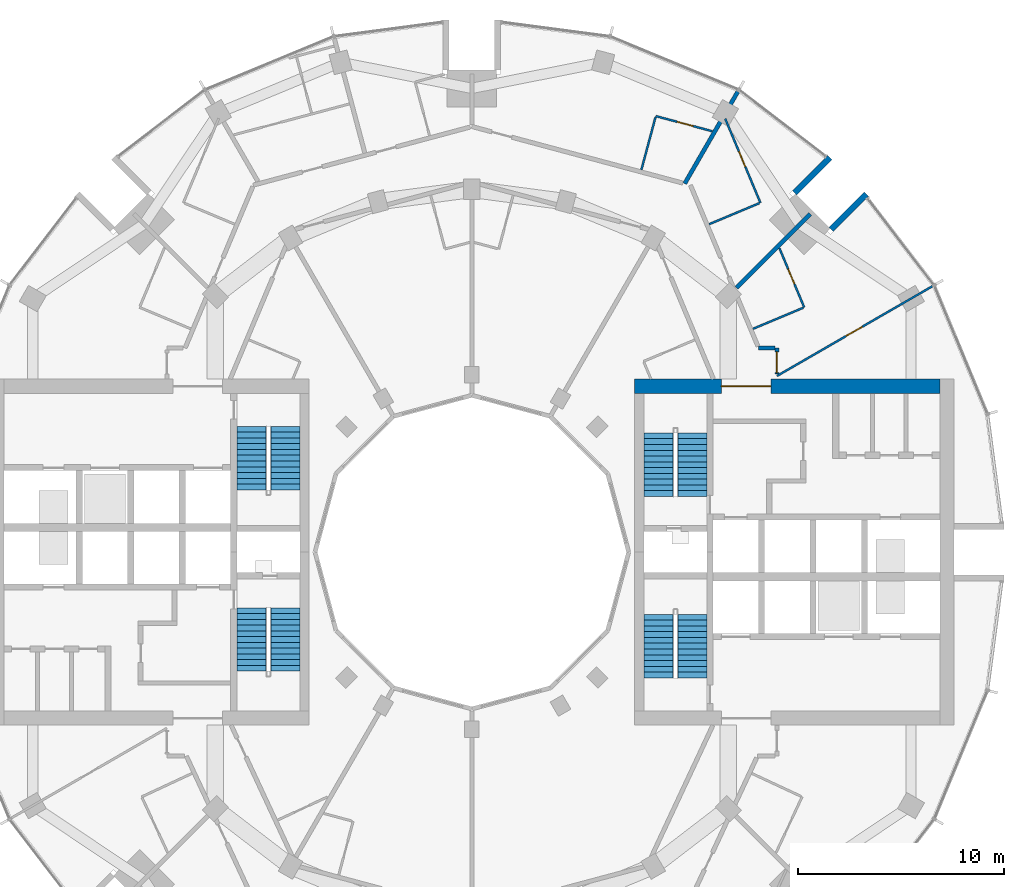
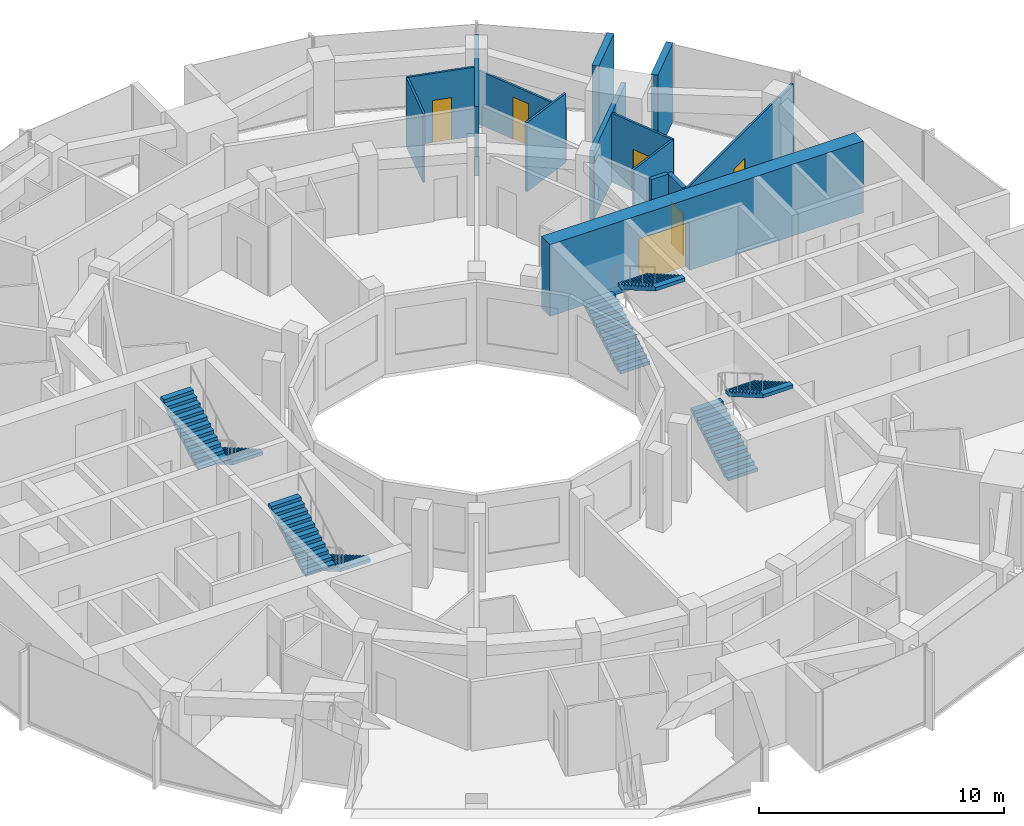
# One storey, part 13 of 15: 14 walls, 8 stair flights, 6 doors, 6 openings, 4 elements without a shape of their own.
"""IFC4 building model written with IfcOpenShell, lengths in metres."""

from ifc_helpers import new_model, si_unit, direction, frame, frame_2d, origin, place, context, subcontext, project, spatial, polyline, rectangle, outline, extrude, material, layer, layer_set, type_object, element, fill, aggregate, save


model = new_model("IFC4")

# Units and contexts
model_context = context("Model", 3, precision=1e-05, world=origin(), true_north=direction((0.0, 1.0)))
body_context = subcontext(model_context, "Body", "Model", "MODEL_VIEW")
ifc_project = project(units=[si_unit("LENGTHUNIT", "METRE"), si_unit("AREAUNIT", "SQUARE_METRE"), si_unit("VOLUMEUNIT", "CUBIC_METRE"), si_unit("PLANEANGLEUNIT", "RADIAN"), si_unit("MASSUNIT", "GRAM", prefix="KILO")], contexts=[model_context])

# Site, building, storey
site_placement = place(None, origin())
site = spatial("IfcSite", under=ifc_project, at=site_placement, CompositionType="ELEMENT")
building_placement = place(site_placement, origin())
building = spatial("IfcBuilding", under=site, at=building_placement, Name="Torre Brocal", CompositionType="ELEMENT")
storey_placement = place(building_placement, frame((0.0, 0.0, 134.10009765625)))
storey = spatial("IfcBuildingStorey", under=building, at=storey_placement, Name="L31", CompositionType="ELEMENT", Elevation=134.10009765625)

# Wall, opening, door
ifc_material_1 = material(Name="Concrete C70", Category="concrete")
ifc_layer_1 = layer(ifc_material_1, 0.699951171875)
ifc_layer_set_1 = layer_set([ifc_layer_1], Name="Concrete C70")
wall_type_1 = type_object("IfcWallType", Name="CORE WALL 700 C70", PredefinedType="SHEAR", material=ifc_layer_set_1)
wall_1_placement = place(storey_placement, frame((87.89990234375, 83.050048828125, 0.0), z_axis=(0.0, 0.0, 1.0), x_axis=(1.0, 0.0, 0.0)))
wall_1 = element("IfcWall", 1, at=wall_1_placement, inside=storey, type_object=wall_type_1, Name="Wall CW700-70", PredefinedType="SHEAR", context=body_context, shape_type="SweptSolid", body=[
    extrude(rectangle(XDim=14.800048828125, YDim=0.699951171875, at=frame_2d((7.39990234375, 0.0))), origin(), (0.0, 0.0, 1.0), 3.579833984375),
])
opening_1_placement = place(wall_1_placement, frame((4.199951171875, 0.0, 0.0)))
opening_1 = element("IfcOpeningElement", 2, at=opening_1_placement, cuts=wall_1, Name="Opening E-D27", PredefinedType="OPENING", context=body_context, shape_type="SweptSolid", body=[
    extrude(rectangle(XDim=2.39990234375, YDim=2.39990234375, at=frame_2d((1.199951171875, 1.199951171875))), frame((0.0, 0.35986328125, 0.0), z_axis=(0.0, -1.0, 0.0), x_axis=(1.0, 0.0, 0.0)), (0.0, 0.0, 1.0), 0.719970703125),
])
ifc_material_2 = material(Name="Steel A653", Category="steel")
door_type_1 = type_object("IfcDoorType", Name="DOUBLE FIRE DOOR FD90 2400X2400", OperationType="DOUBLE_DOOR_SINGLE_SWING", PredefinedType="DOOR", material=ifc_material_2)
door_1_placement = place(opening_1_placement, frame((2.39990234375, 0.0, 0.0), z_axis=(0.0, 0.0, 1.0), x_axis=(-1.0, 0.0, 0.0)))
door_1 = element("IfcDoor", 3, at=door_1_placement, inside=storey, type_object=door_type_1, Name="Door E-D27", OperationType="DOUBLE_DOOR_SINGLE_SWING", OverallHeight=2.39990234375, OverallWidth=2.39990234375, PredefinedType="DOOR", context=body_context, shape_type="SweptSolid", body=[
    extrude(rectangle(XDim=2.39990234375, YDim=2.39990234375, at=frame_2d((1.199951171875, 1.199951171875))), frame((0.0, 0.02490234375, 0.0), z_axis=(0.0, -1.0, 0.0), x_axis=(1.0, 0.0, 0.0)), (0.0, 0.0, 1.0), 0.050048828125),
])
fill(opening_1, door_1)

# Walls
ifc_material_3 = material(Name="Concrete C70", Category="concrete")
ifc_layer_2 = layer(ifc_material_3, 0.300048828125)
ifc_layer_set_2 = layer_set([ifc_layer_2], Name="Concrete C70")
wall_type_2 = type_object("IfcWallType", Name="NOTCH RETURN WALL 300 C70", PredefinedType="NOTDEFINED", material=ifc_layer_set_2)
for number, where, z_axis, x_axis, name in (
    (4, (97.43017578125, 90.662353515625, 0.0), (0.0, 0.0, 1.0), (0.707106781187, 0.707106781187, 0.0), "NOTCH RETURN WALL"),
    (5, (95.662353515625, 92.43017578125, 0.0), (0.0, 0.0, 1.0), (0.707106781187, 0.707106781187, 0.0), "NOTCH RETURN WALL"),
):
    element("IfcWall", number, at=place(storey_placement, frame(where, z_axis=z_axis, x_axis=x_axis)), inside=storey, type_object=wall_type_2, Name=name, PredefinedType="NOTDEFINED", context=body_context, shape_type="SweptSolid", body=[
        extrude(rectangle(XDim=2.415771484375, YDim=0.300048828125, at=frame_2d((1.2080078125, 0.0))), origin(), (0.0, 0.0, 1.0), 3.89990234375),
    ])
ifc_material_4 = material(Name="Gypsum board", Category="Gypsum")
ifc_layer_3 = layer(ifc_material_4, 0.10009765625)
ifc_layer_set_3 = layer_set([ifc_layer_3], Name="Gypsum board")
wall_type_3 = type_object("IfcWallType", Name="PARTITION 100", PredefinedType="PARTITIONING", material=ifc_layer_set_3)
wall_2_placement = place(storey_placement, frame((88.222900390625, 93.546630859375, 0.0), z_axis=(0.0, 0.0, 1.0), x_axis=(0.259021640683, 0.965871518194, 0.0)))
element("IfcWall", 6, at=wall_2_placement, inside=storey, type_object=wall_type_3, Name="BATHROOM WALL", PredefinedType="PARTITIONING", context=body_context, shape_type="SweptSolid", body=[
    extrude(rectangle(XDim=2.6494140625, YDim=0.10009765625, at=frame_2d((1.32470703125, 0.0))), origin(), (0.0, 0.0, 1.0), 3.449951171875),
])

# Wall, opening, door
wall_3_placement = place(storey_placement, frame((88.922119140625, 96.154052734375, 0.0), z_axis=(0.0, 0.0, 1.0), x_axis=(0.965887418767, -0.258962341408, 0.0)))
wall_3 = element("IfcWall", 7, at=wall_3_placement, inside=storey, type_object=wall_type_3, Name="BATHROOM WALL", PredefinedType="PARTITIONING", context=body_context, shape_type="SweptSolid", body=[
    extrude(rectangle(XDim=2.840576171875, YDim=0.10009765625, at=frame_2d((1.42041015625, 0.0))), origin(), (0.0, 0.0, 1.0), 3.449951171875),
])
opening_2_placement = place(wall_3_placement, frame((1.0751953125, 0.0, 0.0)))
opening_2 = element("IfcOpeningElement", 8, at=opening_2_placement, cuts=wall_3, Name="Opening E02-D07", PredefinedType="OPENING", context=body_context, shape_type="SweptSolid", body=[
    extrude(rectangle(XDim=0.800048828125, YDim=2.10009765625, at=frame_2d((0.39990234375, 1.050048828125))), frame((0.0, 0.06005859375, 0.0), z_axis=(0.0, -1.0, 0.0), x_axis=(1.0, 0.0, 0.0)), (0.0, 0.0, 1.0), 0.1201171875),
])
ifc_material_5 = material(Name="Timber", Category="wood")
door_type_2 = type_object("IfcDoorType", Name="BATHROOM DOOR 800X2100", OperationType="SINGLE_SWING_LEFT", PredefinedType="DOOR", material=ifc_material_5)
door_2_placement = place(opening_2_placement, frame((0.800048828125, 0.0, 0.0), z_axis=(0.0, 0.0, 1.0), x_axis=(-1.0, 0.0, 0.0)))
door_2 = element("IfcDoor", 9, at=door_2_placement, inside=storey, type_object=door_type_2, Name="E02-D07", OperationType="SINGLE_SWING_LEFT", OverallHeight=2.10009765625, OverallWidth=0.800048828125, PredefinedType="DOOR", context=body_context, shape_type="SweptSolid", body=[
    extrude(rectangle(XDim=0.800048828125, YDim=2.10009765625, at=frame_2d((0.39990234375, 1.050048828125))), frame((0.0, 0.02490234375, 0.0), z_axis=(0.0, -1.0, 0.0), x_axis=(1.0, 0.0, 0.0)), (0.0, 0.0, 1.0), 0.050048828125),
])
fill(opening_2, door_2)

# Walls
for number, where, z_axis, x_axis, name in (
    (10, (91.506591796875, 90.90673828125, 0.0), (0.0, 0.0, 1.0), (0.922344808264, 0.38636777126, 0.0), "BATHROOM WALL"),
    (11, (93.632568359375, 85.830810546875, 0.0), (0.0, 0.0, 1.0), (0.922344808264, 0.38636777126, 0.0), "BATHROOM WALL"),
):
    element("IfcWall", number, at=place(storey_placement, frame(where, z_axis=z_axis, x_axis=x_axis)), inside=storey, type_object=wall_type_3, Name=name, PredefinedType="PARTITIONING", context=body_context, shape_type="SweptSolid", body=[
        extrude(rectangle(XDim=2.650146484375, YDim=0.10009765625, at=frame_2d((1.3251953125, 0.0))), origin(), (0.0, 0.0, 1.0), 3.449951171875),
    ])

# Wall, opening, door
wall_4_placement = place(storey_placement, frame((94.800048828125, 83.544921875, 0.0), z_axis=(0.0, 0.0, 1.0), x_axis=(0.86602264145, 0.500004784474, 0.0)))
wall_4 = element("IfcWall", 12, at=wall_4_placement, inside=storey, type_object=wall_type_3, Name="ROOM PARTITION", PredefinedType="PARTITIONING", context=body_context, shape_type="SweptSolid", body=[
    extrude(rectangle(XDim=8.7080078125, YDim=0.10009765625, at=frame_2d((4.35400390625, 0.0))), origin(), (0.0, 0.0, 1.0), 3.449951171875),
])
opening_3_placement = place(wall_4_placement, frame((3.87890625, 0.0, 0.0)))
opening_3 = element("IfcOpeningElement", 13, at=opening_3_placement, cuts=wall_4, Name="Opening E02-D03", PredefinedType="OPENING", context=body_context, shape_type="SweptSolid", body=[
    extrude(rectangle(XDim=0.89990234375, YDim=2.10009765625, at=frame_2d((0.449951171875, 1.050048828125))), frame((0.0, 0.06005859375, 0.0), z_axis=(0.0, -1.0, 0.0), x_axis=(1.0, 0.0, 0.0)), (0.0, 0.0, 1.0), 0.1201171875),
])
ifc_material_6 = material(Name="Timber", Category="wood")
door_type_3 = type_object("IfcDoorType", Name="ROOM DOOR 900X2100", OperationType="SINGLE_SWING_LEFT", PredefinedType="DOOR", material=ifc_material_6)
door_3_placement = place(opening_3_placement, frame((0.89990234375, 0.0, 0.0), z_axis=(0.0, 0.0, 1.0), x_axis=(-1.0, 0.0, 0.0)))
door_3 = element("IfcDoor", 14, at=door_3_placement, inside=storey, type_object=door_type_3, Name="E02-D03", OperationType="SINGLE_SWING_RIGHT", OverallHeight=2.10009765625, OverallWidth=0.89990234375, PredefinedType="DOOR", context=body_context, shape_type="SweptSolid", body=[
    extrude(rectangle(XDim=0.89990234375, YDim=2.10009765625, at=frame_2d((0.449951171875, 1.050048828125))), frame((0.0, 0.02490234375, 0.0), z_axis=(0.0, -1.0, 0.0), x_axis=(1.0, 0.0, 0.0)), (0.0, 0.0, 1.0), 0.050048828125),
])
fill(opening_3, door_3)

wall_5_placement = place(storey_placement, frame((94.919189453125, 89.748046875, 0.0), z_axis=(0.0, 0.0, 1.0), x_axis=(0.386255913529, -0.922391657196, 0.0)))
wall_5 = element("IfcWall", 15, at=wall_5_placement, inside=storey, type_object=wall_type_3, Name="BATHROOM WALL", PredefinedType="PARTITIONING", context=body_context, shape_type="SweptSolid", body=[
    extrude(rectangle(XDim=3.1162109375, YDim=0.10009765625, at=frame_2d((1.55810546875, 0.0))), origin(), (0.0, 0.0, 1.0), 3.449951171875),
])
opening_4_placement = place(wall_5_placement, frame((1.093017578125, 0.0, 0.0)))
opening_4 = element("IfcOpeningElement", 16, at=opening_4_placement, cuts=wall_5, Name="Opening E02-D02", PredefinedType="OPENING", context=body_context, shape_type="SweptSolid", body=[
    extrude(rectangle(XDim=0.800048828125, YDim=2.10009765625, at=frame_2d((0.39990234375, 1.050048828125))), frame((0.0, 0.06005859375, 0.0), z_axis=(0.0, -1.0, 0.0), x_axis=(1.0, 0.0, 0.0)), (0.0, 0.0, 1.0), 0.1201171875),
])
door_4_placement = place(opening_4_placement, frame((0.800048828125, 0.0, 0.0), z_axis=(0.0, 0.0, 1.0), x_axis=(-1.0, 0.0, 0.0)))
door_4 = element("IfcDoor", 17, at=door_4_placement, inside=storey, type_object=door_type_2, Name="E02-D02", OperationType="SINGLE_SWING_RIGHT", OverallHeight=2.10009765625, OverallWidth=0.800048828125, PredefinedType="DOOR", context=body_context, shape_type="SweptSolid", body=[
    extrude(rectangle(XDim=0.800048828125, YDim=2.10009765625, at=frame_2d((0.39990234375, 1.050048828125))), frame((0.0, 0.02490234375, 0.0), z_axis=(0.0, -1.0, 0.0), x_axis=(1.0, 0.0, 0.0)), (0.0, 0.0, 1.0), 0.050048828125),
])
fill(opening_4, door_4)

ifc_material_7 = material(Name="Gypsum board", Category="Gypsum")
ifc_layer_4 = layer(ifc_material_7, 0.10009765625)
ifc_layer_set_4 = layer_set([ifc_layer_4], Name="Gypsum board")
wall_type_4 = type_object("IfcWallType", Name="PARTITION 100 UNDER BEAM 1220", PredefinedType="PARTITIONING", material=ifc_layer_set_4)
wall_6_placement = place(storey_placement, frame((92.288818359375, 96.029541015625, 0.0), z_axis=(0.0, 0.0, 1.0), x_axis=(0.386237487323, -0.922399373041, 0.0)))
wall_6 = element("IfcWall", 18, at=wall_6_placement, inside=storey, type_object=wall_type_4, Name="BATHROOM WALL", PredefinedType="PARTITIONING", context=body_context, shape_type="SweptSolid", body=[
    extrude(rectangle(XDim=4.4228515625, YDim=0.10009765625, at=frame_2d((2.21142578125, 0.0))), origin(), (0.0, 0.0, 1.0), 2.679931640625),
])
opening_5_placement = place(wall_6_placement, frame((1.731201171875, 0.0, 0.0)))
opening_5 = element("IfcOpeningElement", 19, at=opening_5_placement, cuts=wall_6, Name="Opening E02-D05", PredefinedType="OPENING", context=body_context, shape_type="SweptSolid", body=[
    extrude(rectangle(XDim=0.800048828125, YDim=2.10009765625, at=frame_2d((0.39990234375, 1.050048828125))), frame((0.0, 0.06005859375, 0.0), z_axis=(0.0, -1.0, 0.0), x_axis=(1.0, 0.0, 0.0)), (0.0, 0.0, 1.0), 0.1201171875),
])
door_5_placement = place(opening_5_placement, frame((0.800048828125, 0.0, 0.0), z_axis=(0.0, 0.0, 1.0), x_axis=(-1.0, 0.0, 0.0)))
door_5 = element("IfcDoor", 20, at=door_5_placement, inside=storey, type_object=door_type_2, Name="E02-D05", OperationType="SINGLE_SWING_RIGHT", OverallHeight=2.10009765625, OverallWidth=0.800048828125, PredefinedType="DOOR", context=body_context, shape_type="SweptSolid", body=[
    extrude(rectangle(XDim=0.800048828125, YDim=2.10009765625, at=frame_2d((0.39990234375, 1.050048828125))), frame((0.0, 0.02490234375, 0.0), z_axis=(0.0, -1.0, 0.0), x_axis=(1.0, 0.0, 0.0)), (0.0, 0.0, 1.0), 0.050048828125),
])
fill(opening_5, door_5)

# Walls
ifc_material_8 = material(Name="Gypsum board", Category="Gypsum")
ifc_layer_5 = layer(ifc_material_8, 0.199951171875)
ifc_layer_set_5 = layer_set([ifc_layer_5], Name="Gypsum board")
wall_type_5 = type_object("IfcWallType", Name="PARTITION 200 EI60", PredefinedType="PARTITIONING", material=ifc_layer_set_5)
wall_7_placement = place(storey_placement, frame((90.325439453125, 92.8798828125, 0.0), z_axis=(0.0, 0.0, 1.0), x_axis=(0.500084891114, 0.865976386329, 0.0)))
element("IfcWall", 21, at=wall_7_placement, inside=storey, type_object=wall_type_5, Name="BATHROOM WALL", PredefinedType="PARTITIONING", context=body_context, shape_type="SweptSolid", body=[
    extrude(rectangle(XDim=5.150390625, YDim=0.199951171875, at=frame_2d((2.5751953125, 0.0))), origin(), (0.0, 0.0, 1.0), 3.449951171875),
])
wall_8_placement = place(storey_placement, frame((92.83154296875, 87.82470703125, 0.0), z_axis=(0.0, 0.0, 1.0), x_axis=(0.707275688599, 0.706937833418, 0.0)))
element("IfcWall", 22, at=wall_8_placement, inside=storey, type_object=wall_type_5, Name="BATHROOM WALL", PredefinedType="PARTITIONING", context=body_context, shape_type="SweptSolid", body=[
    extrude(rectangle(XDim=5.058349609375, YDim=0.199951171875, at=frame_2d((2.529296875, 0.0))), origin(), (0.0, 0.0, 1.0), 3.449951171875),
])
wall_9_placement = place(storey_placement, frame((93.9140625, 84.89990234375, 0.0), z_axis=(0.0, 0.0, 1.0), x_axis=(1.0, 0.0, 0.0)))
element("IfcWall", 23, at=wall_9_placement, inside=storey, type_object=wall_type_5, Name="GUESTROOM CORRIDOR WALL", PredefinedType="PARTITIONING", context=body_context, shape_type="SweptSolid", body=[
    extrude(rectangle(XDim=0.785888671875, YDim=0.199951171875, at=frame_2d((0.39306640625, 0.0))), origin(), (0.0, 0.0, 1.0), 3.449951171875),
])

# Wall, opening, door
wall_10_placement = place(storey_placement, frame((94.800048828125, 83.64990234375, 0.0), z_axis=(0.0, 0.0, 1.0), x_axis=(0.0, 1.0, 0.0)))
wall_10 = element("IfcWall", 24, at=wall_10_placement, inside=storey, type_object=wall_type_5, Name="GUESTROOM CORRIDOR WALL", PredefinedType="PARTITIONING", context=body_context, shape_type="SweptSolid", body=[
    extrude(rectangle(XDim=1.25, YDim=0.199951171875, at=frame_2d((0.625, 0.0))), origin(), (0.0, 0.0, 1.0), 3.449951171875),
])
opening_6_placement = place(wall_10_placement, frame((0.0625, 0.0, 0.0)))
opening_6 = element("IfcOpeningElement", 25, at=opening_6_placement, cuts=wall_10, Name="Opening E02-D01", PredefinedType="OPENING", context=body_context, shape_type="SweptSolid", body=[
    extrude(rectangle(XDim=1.0, YDim=2.10009765625, at=frame_2d((0.5, 1.050048828125))), frame((0.0, 0.10986328125, 0.0), z_axis=(0.0, -1.0, 0.0), x_axis=(1.0, 0.0, 0.0)), (0.0, 0.0, 1.0), 0.219970703125),
])
ifc_material_9 = material(Name="Timber", Category="wood")
door_type_4 = type_object("IfcDoorType", Name="FLAT ENTRY DOOR FD30S 1000X2100", OperationType="SINGLE_SWING_RIGHT", PredefinedType="DOOR", material=ifc_material_9)
door_6_placement = place(opening_6_placement, frame((1.0, 0.0, 0.0), z_axis=(0.0, 0.0, 1.0), x_axis=(-1.0, 0.0, 0.0)))
door_6 = element("IfcDoor", 26, at=door_6_placement, inside=storey, type_object=door_type_4, Name="E02-D01", OperationType="SINGLE_SWING_LEFT", OverallHeight=2.10009765625, OverallWidth=1.0, PredefinedType="DOOR", context=body_context, shape_type="SweptSolid", body=[
    extrude(rectangle(XDim=1.0, YDim=2.10009765625, at=frame_2d((0.5, 1.050048828125))), frame((0.0, 0.02490234375, 0.0), z_axis=(0.0, -1.0, 0.0), x_axis=(1.0, 0.0, 0.0)), (0.0, 0.0, 1.0), 0.050048828125),
])
fill(opening_6, door_6)

# Stair, stair flights
ifc_material_10 = material(Name="Concrete C50", Category="concrete")
stair_type = type_object("IfcStairType", Name="EXIT STAIR", PredefinedType="HALF_TURN_STAIR", material=ifc_material_10)
stair_1_placement = place(storey_placement, origin())
stair_1 = element("IfcStair", 27, at=stair_1_placement, inside=storey, type_object=stair_type, Name="EXIT STAIR ST1", PredefinedType="HALF_TURN_STAIR")
ifc_material_11 = material(Name="Concrete C50", Category="concrete")
ifc_layer_6 = layer(ifc_material_11, 0.14990234375)
ifc_layer_set_6 = layer_set([ifc_layer_6], Name="Concrete C50")
stair_flight_type = type_object("IfcStairFlightType", Name="STAIR FLIGHT", PredefinedType="STRAIGHT", material=ifc_layer_set_6)
stair_flight_1_placement = place(storey_placement, frame((89.050048828125, 77.699951171875, 0.0), z_axis=(0.0, 0.0, 1.0), x_axis=(0.0, 1.0, 0.0)))
stair_flight_1 = element("IfcStairFlight", 28, at=stair_flight_1_placement, type_object=stair_flight_type, Name="ST1 flight 1", NumberOfRisers=12, NumberOfTreads=11, PredefinedType="STRAIGHT", RiserHeight=0.1625, TreadLength=0.28, context=body_context, shape_type="SweptSolid", body=[
    extrude(outline(polyline([(0.0, 0.0), (0.0, 0.16259765625), (0.280029296875, 0.16259765625), (0.280029296875, 0.324951171875), (0.56005859375, 0.324951171875), (0.56005859375, 0.487548828125), (0.840087890625, 0.487548828125), (0.840087890625, 0.64990234375), (1.1201171875, 0.64990234375), (1.1201171875, 0.8125), (1.39990234375, 0.8125), (1.39990234375, 0.97509765625), (1.679931640625, 0.97509765625), (1.679931640625, 1.137451171875), (1.9599609375, 1.137451171875), (1.9599609375, 1.300048828125), (2.239990234375, 1.300048828125), (2.239990234375, 1.46240234375), (2.52001953125, 1.46240234375), (2.52001953125, 1.625), (2.800048828125, 1.625), (2.800048828125, 1.78759765625), (3.080078125, 1.78759765625), (3.080078125, 1.949951171875), (3.080078125, 1.6142578125), (0.298583984375, 0.0), (0.0, 0.0)])), frame((0.0, 0.699951171875, 0.0), z_axis=(0.0, -1.0, 0.0), x_axis=(1.0, 0.0, 0.0)), (0.0, 0.0, 1.0), 1.39990234375),
])
stair_flight_2_placement = place(storey_placement, frame((90.699951171875, 80.780029296875, 1.949951171875), z_axis=(0.0, 0.0, 1.0), x_axis=(0.0, -1.0, 0.0)))
stair_flight_2 = element("IfcStairFlight", 29, at=stair_flight_2_placement, type_object=stair_flight_type, Name="ST1 flight 2", NumberOfRisers=12, NumberOfTreads=11, PredefinedType="STRAIGHT", RiserHeight=0.1625, TreadLength=0.28, context=body_context, shape_type="SweptSolid", body=[
    extrude(outline(polyline([(0.0, 0.0), (0.0, 0.16259765625), (0.280029296875, 0.16259765625), (0.280029296875, 0.324951171875), (0.56005859375, 0.324951171875), (0.56005859375, 0.487548828125), (0.840087890625, 0.487548828125), (0.840087890625, 0.64990234375), (1.1201171875, 0.64990234375), (1.1201171875, 0.8125), (1.39990234375, 0.8125), (1.39990234375, 0.97509765625), (1.679931640625, 0.97509765625), (1.679931640625, 1.137451171875), (1.9599609375, 1.137451171875), (1.9599609375, 1.300048828125), (2.239990234375, 1.300048828125), (2.239990234375, 1.46240234375), (2.52001953125, 1.46240234375), (2.52001953125, 1.625), (2.800048828125, 1.625), (2.800048828125, 1.78759765625), (3.080078125, 1.78759765625), (3.080078125, 1.949951171875), (3.080078125, 1.6142578125), (0.298583984375, 0.0), (0.0, 0.0)])), frame((0.0, 0.699951171875, 0.0), z_axis=(0.0, -1.0, 0.0), x_axis=(1.0, 0.0, 0.0)), (0.0, 0.0, 1.0), 1.39990234375),
])
aggregate(stair_1, [stair_flight_1, stair_flight_2])

stair_2_placement = place(storey_placement, origin())
stair_2 = element("IfcStair", 30, at=stair_2_placement, inside=storey, type_object=stair_type, Name="EXIT STAIR ST2", PredefinedType="HALF_TURN_STAIR")
stair_flight_3_placement = place(storey_placement, frame((89.050048828125, 68.89990234375, 0.0), z_axis=(0.0, 0.0, 1.0), x_axis=(0.0, 1.0, 0.0)))
stair_flight_3 = element("IfcStairFlight", 31, at=stair_flight_3_placement, type_object=stair_flight_type, Name="ST2 flight 1", NumberOfRisers=12, NumberOfTreads=11, PredefinedType="STRAIGHT", RiserHeight=0.1625, TreadLength=0.28, context=body_context, shape_type="SweptSolid", body=[
    extrude(outline(polyline([(0.0, 0.0), (0.0, 0.16259765625), (0.280029296875, 0.16259765625), (0.280029296875, 0.324951171875), (0.56005859375, 0.324951171875), (0.56005859375, 0.487548828125), (0.840087890625, 0.487548828125), (0.840087890625, 0.64990234375), (1.1201171875, 0.64990234375), (1.1201171875, 0.8125), (1.39990234375, 0.8125), (1.39990234375, 0.97509765625), (1.679931640625, 0.97509765625), (1.679931640625, 1.137451171875), (1.9599609375, 1.137451171875), (1.9599609375, 1.300048828125), (2.239990234375, 1.300048828125), (2.239990234375, 1.46240234375), (2.52001953125, 1.46240234375), (2.52001953125, 1.625), (2.800048828125, 1.625), (2.800048828125, 1.78759765625), (3.080078125, 1.78759765625), (3.080078125, 1.949951171875), (3.080078125, 1.6142578125), (0.298583984375, 0.0), (0.0, 0.0)])), frame((0.0, 0.699951171875, 0.0), z_axis=(0.0, -1.0, 0.0), x_axis=(1.0, 0.0, 0.0)), (0.0, 0.0, 1.0), 1.39990234375),
])
stair_flight_4_placement = place(storey_placement, frame((90.699951171875, 71.97998046875, 1.949951171875), z_axis=(0.0, 0.0, 1.0), x_axis=(0.0, -1.0, 0.0)))
stair_flight_4 = element("IfcStairFlight", 32, at=stair_flight_4_placement, type_object=stair_flight_type, Name="ST2 flight 2", NumberOfRisers=12, NumberOfTreads=11, PredefinedType="STRAIGHT", RiserHeight=0.1625, TreadLength=0.28, context=body_context, shape_type="SweptSolid", body=[
    extrude(outline(polyline([(0.0, 0.0), (0.0, 0.16259765625), (0.280029296875, 0.16259765625), (0.280029296875, 0.324951171875), (0.56005859375, 0.324951171875), (0.56005859375, 0.487548828125), (0.840087890625, 0.487548828125), (0.840087890625, 0.64990234375), (1.1201171875, 0.64990234375), (1.1201171875, 0.8125), (1.39990234375, 0.8125), (1.39990234375, 0.97509765625), (1.679931640625, 0.97509765625), (1.679931640625, 1.137451171875), (1.9599609375, 1.137451171875), (1.9599609375, 1.300048828125), (2.239990234375, 1.300048828125), (2.239990234375, 1.46240234375), (2.52001953125, 1.46240234375), (2.52001953125, 1.625), (2.800048828125, 1.625), (2.800048828125, 1.78759765625), (3.080078125, 1.78759765625), (3.080078125, 1.949951171875), (3.080078125, 1.6142578125), (0.298583984375, 0.0), (0.0, 0.0)])), frame((0.0, 0.699951171875, 0.0), z_axis=(0.0, -1.0, 0.0), x_axis=(1.0, 0.0, 0.0)), (0.0, 0.0, 1.0), 1.39990234375),
])
aggregate(stair_2, [stair_flight_3, stair_flight_4])

stair_3_placement = place(storey_placement, origin())
stair_3 = element("IfcStair", 33, at=stair_3_placement, inside=storey, type_object=stair_type, Name="EXIT STAIR ST3", PredefinedType="HALF_TURN_STAIR")
stair_flight_5_placement = place(storey_placement, frame((70.949951171875, 72.300048828125, 0.0), z_axis=(0.0, 0.0, 1.0), x_axis=(0.0, -1.0, 0.0)))
stair_flight_5 = element("IfcStairFlight", 34, at=stair_flight_5_placement, type_object=stair_flight_type, Name="ST3 flight 1", NumberOfRisers=12, NumberOfTreads=11, PredefinedType="STRAIGHT", RiserHeight=0.1625, TreadLength=0.28, context=body_context, shape_type="SweptSolid", body=[
    extrude(outline(polyline([(0.0, 0.0), (0.0, 0.16259765625), (0.280029296875, 0.16259765625), (0.280029296875, 0.324951171875), (0.56005859375, 0.324951171875), (0.56005859375, 0.487548828125), (0.840087890625, 0.487548828125), (0.840087890625, 0.64990234375), (1.1201171875, 0.64990234375), (1.1201171875, 0.8125), (1.39990234375, 0.8125), (1.39990234375, 0.97509765625), (1.679931640625, 0.97509765625), (1.679931640625, 1.137451171875), (1.9599609375, 1.137451171875), (1.9599609375, 1.300048828125), (2.239990234375, 1.300048828125), (2.239990234375, 1.46240234375), (2.52001953125, 1.46240234375), (2.52001953125, 1.625), (2.800048828125, 1.625), (2.800048828125, 1.78759765625), (3.080078125, 1.78759765625), (3.080078125, 1.949951171875), (3.080078125, 1.6142578125), (0.298583984375, 0.0), (0.0, 0.0)])), frame((0.0, 0.699951171875, 0.0), z_axis=(0.0, -1.0, 0.0), x_axis=(1.0, 0.0, 0.0)), (0.0, 0.0, 1.0), 1.39990234375),
])
stair_flight_6_placement = place(storey_placement, frame((69.300048828125, 69.219970703125, 1.949951171875), z_axis=(0.0, 0.0, 1.0), x_axis=(0.0, 1.0, 0.0)))
stair_flight_6 = element("IfcStairFlight", 35, at=stair_flight_6_placement, type_object=stair_flight_type, Name="ST3 flight 2", NumberOfRisers=12, NumberOfTreads=11, PredefinedType="STRAIGHT", RiserHeight=0.1625, TreadLength=0.28, context=body_context, shape_type="SweptSolid", body=[
    extrude(outline(polyline([(0.0, 0.0), (0.0, 0.16259765625), (0.280029296875, 0.16259765625), (0.280029296875, 0.324951171875), (0.56005859375, 0.324951171875), (0.56005859375, 0.487548828125), (0.840087890625, 0.487548828125), (0.840087890625, 0.64990234375), (1.1201171875, 0.64990234375), (1.1201171875, 0.8125), (1.39990234375, 0.8125), (1.39990234375, 0.97509765625), (1.679931640625, 0.97509765625), (1.679931640625, 1.137451171875), (1.9599609375, 1.137451171875), (1.9599609375, 1.300048828125), (2.239990234375, 1.300048828125), (2.239990234375, 1.46240234375), (2.52001953125, 1.46240234375), (2.52001953125, 1.625), (2.800048828125, 1.625), (2.800048828125, 1.78759765625), (3.080078125, 1.78759765625), (3.080078125, 1.949951171875), (3.080078125, 1.6142578125), (0.298583984375, 0.0), (0.0, 0.0)])), frame((0.0, 0.699951171875, 0.0), z_axis=(0.0, -1.0, 0.0), x_axis=(1.0, 0.0, 0.0)), (0.0, 0.0, 1.0), 1.39990234375),
])
aggregate(stair_3, [stair_flight_5, stair_flight_6])

stair_4_placement = place(storey_placement, origin())
stair_4 = element("IfcStair", 36, at=stair_4_placement, inside=storey, type_object=stair_type, Name="EXIT STAIR ST4", PredefinedType="HALF_TURN_STAIR")
stair_flight_7_placement = place(storey_placement, frame((70.949951171875, 81.10009765625, 0.0), z_axis=(0.0, 0.0, 1.0), x_axis=(0.0, -1.0, 0.0)))
stair_flight_7 = element("IfcStairFlight", 37, at=stair_flight_7_placement, type_object=stair_flight_type, Name="ST4 flight 1", NumberOfRisers=12, NumberOfTreads=11, PredefinedType="STRAIGHT", RiserHeight=0.1625, TreadLength=0.28, context=body_context, shape_type="SweptSolid", body=[
    extrude(outline(polyline([(0.0, 0.0), (0.0, 0.16259765625), (0.280029296875, 0.16259765625), (0.280029296875, 0.324951171875), (0.56005859375, 0.324951171875), (0.56005859375, 0.487548828125), (0.840087890625, 0.487548828125), (0.840087890625, 0.64990234375), (1.1201171875, 0.64990234375), (1.1201171875, 0.8125), (1.39990234375, 0.8125), (1.39990234375, 0.97509765625), (1.679931640625, 0.97509765625), (1.679931640625, 1.137451171875), (1.9599609375, 1.137451171875), (1.9599609375, 1.300048828125), (2.239990234375, 1.300048828125), (2.239990234375, 1.46240234375), (2.52001953125, 1.46240234375), (2.52001953125, 1.625), (2.800048828125, 1.625), (2.800048828125, 1.78759765625), (3.080078125, 1.78759765625), (3.080078125, 1.949951171875), (3.080078125, 1.6142578125), (0.298583984375, 0.0), (0.0, 0.0)])), frame((0.0, 0.699951171875, 0.0), z_axis=(0.0, -1.0, 0.0), x_axis=(1.0, 0.0, 0.0)), (0.0, 0.0, 1.0), 1.39990234375),
])
stair_flight_8_placement = place(storey_placement, frame((69.300048828125, 78.02001953125, 1.949951171875), z_axis=(0.0, 0.0, 1.0), x_axis=(0.0, 1.0, 0.0)))
stair_flight_8 = element("IfcStairFlight", 38, at=stair_flight_8_placement, type_object=stair_flight_type, Name="ST4 flight 2", NumberOfRisers=12, NumberOfTreads=11, PredefinedType="STRAIGHT", RiserHeight=0.1625, TreadLength=0.28, context=body_context, shape_type="SweptSolid", body=[
    extrude(outline(polyline([(0.0, 0.0), (0.0, 0.16259765625), (0.280029296875, 0.16259765625), (0.280029296875, 0.324951171875), (0.56005859375, 0.324951171875), (0.56005859375, 0.487548828125), (0.840087890625, 0.487548828125), (0.840087890625, 0.64990234375), (1.1201171875, 0.64990234375), (1.1201171875, 0.8125), (1.39990234375, 0.8125), (1.39990234375, 0.97509765625), (1.679931640625, 0.97509765625), (1.679931640625, 1.137451171875), (1.9599609375, 1.137451171875), (1.9599609375, 1.300048828125), (2.239990234375, 1.300048828125), (2.239990234375, 1.46240234375), (2.52001953125, 1.46240234375), (2.52001953125, 1.625), (2.800048828125, 1.625), (2.800048828125, 1.78759765625), (3.080078125, 1.78759765625), (3.080078125, 1.949951171875), (3.080078125, 1.6142578125), (0.298583984375, 0.0), (0.0, 0.0)])), frame((0.0, 0.699951171875, 0.0), z_axis=(0.0, -1.0, 0.0), x_axis=(1.0, 0.0, 0.0)), (0.0, 0.0, 1.0), 1.39990234375),
])
aggregate(stair_4, [stair_flight_7, stair_flight_8])

save(model, "model.ifc")
